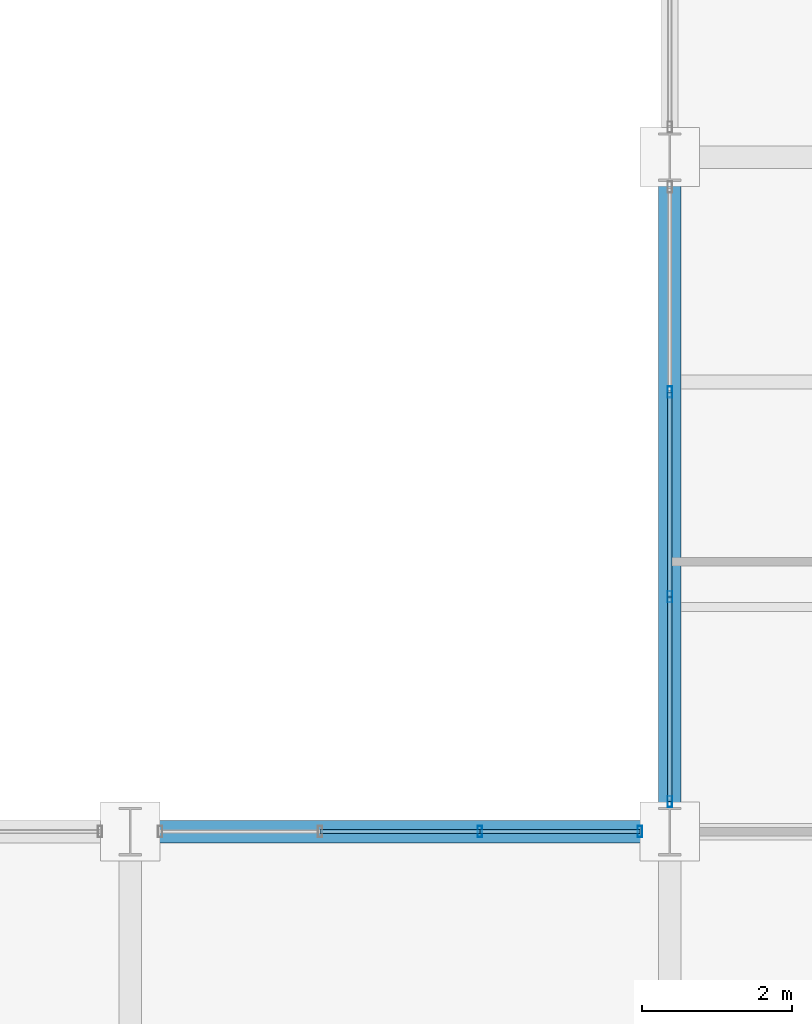
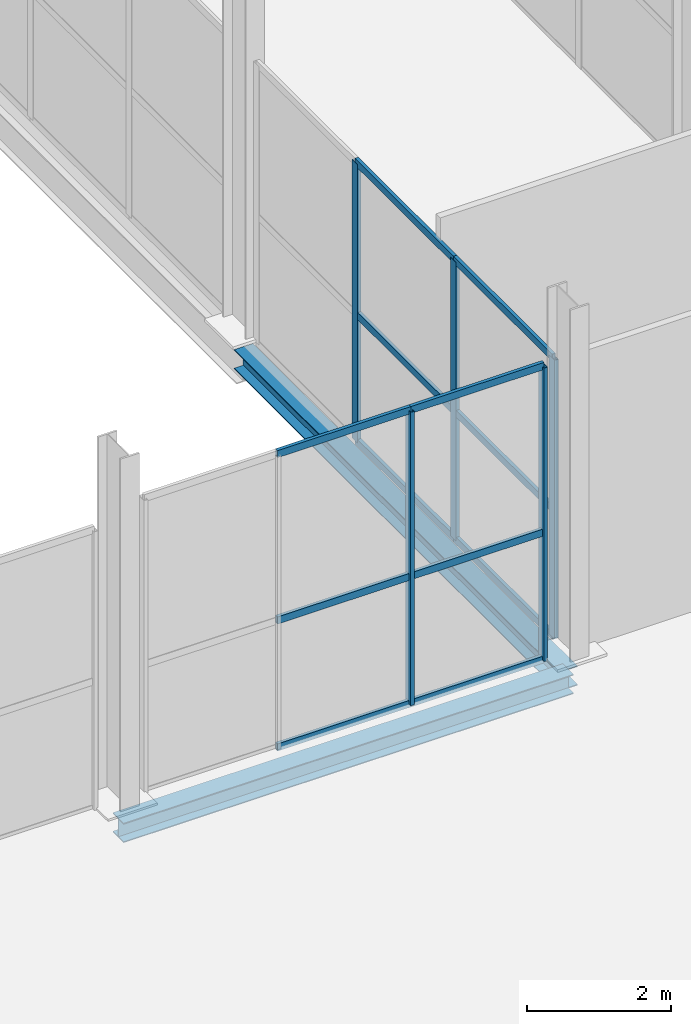
# One storey, part 89 of 144: 17 members, 2 beams, 2 elements without a shape of their own.
"""IFC4 building model written with IfcOpenShell, lengths in metres."""

from ifc_helpers import new_model, si_unit, direction, frame, origin, origin_2d, place, context, subcontext, project, spatial, hollow_rectangle, i_section, extrude, material, layer, layer_set, material_profile, profile_set, type_object, element, aggregate, save


model = new_model("IFC4")

# Units and contexts
model_context = context("Model", 3, precision=1e-05, world=origin(), true_north=direction((0.0, 1.0)))
body_context = subcontext(model_context, "Body", "Model", "MODEL_VIEW")
ifc_project = project(units=[si_unit("LENGTHUNIT", "METRE"), si_unit("AREAUNIT", "SQUARE_METRE"), si_unit("VOLUMEUNIT", "CUBIC_METRE"), si_unit("PLANEANGLEUNIT", "RADIAN"), si_unit("MASSUNIT", "GRAM", prefix="KILO")], contexts=[model_context])

# Site, building, storey
site_placement = place(None, origin())
site = spatial("IfcSite", under=ifc_project, at=site_placement, CompositionType="ELEMENT")
building_placement = place(site_placement, origin())
building = spatial("IfcBuilding", under=site, at=building_placement, Name="Sundgate Opera House", CompositionType="ELEMENT")
storey_placement = place(building_placement, origin())
storey = spatial("IfcBuildingStorey", under=building, at=storey_placement, Name="L00", CompositionType="ELEMENT", Elevation=0.0)

# Beams
ifc_material_1 = material(Name="Steel S355J2", Category="steel")
ifc_material_profile_1 = material_profile(ifc_material_1, i_section(OverallWidth=0.300048828125, OverallDepth=0.330078125, WebThickness=0.009521484375, FlangeThickness=0.0166015625, at=origin_2d()), Name="HEA 340")
ifc_profile_set_1 = profile_set([ifc_material_profile_1], Name="Steel S355J2")
beam_type = type_object("IfcBeamType", Name="BM-GR-HEA340", PredefinedType="BEAM", material=ifc_profile_set_1)
beam_1_placement = place(storey_placement, frame((138.60009765625, 42.0, -0.485107421875), z_axis=(0.0, 1.0, 0.0), x_axis=(-1.0, 0.0, 0.0)))
element("IfcBeam", 1, at=beam_1_placement, inside=storey, type_object=beam_type, Name="L00 Primary N-S Girder B0270", PredefinedType="BEAM", context=body_context, shape_type="SweptSolid", body=[
    extrude(i_section(OverallWidth=0.300048828125, OverallDepth=0.330078125, WebThickness=0.009521484375, FlangeThickness=0.0166015625, at=origin_2d()), origin(), (0.0, 0.0, 1.0), 9.0),
])
beam_2_placement = place(storey_placement, frame((131.39990234375, 42.0, -0.485107421875), z_axis=(1.0, 0.0, 0.0), x_axis=(0.0, 1.0, 0.0)))
element("IfcBeam", 2, at=beam_2_placement, inside=storey, type_object=beam_type, Name="L00 Primary E-W Girder B0423", PredefinedType="BEAM", context=body_context, shape_type="SweptSolid", body=[
    extrude(i_section(OverallWidth=0.300048828125, OverallDepth=0.330078125, WebThickness=0.009521484375, FlangeThickness=0.0166015625, at=origin_2d()), origin(), (0.0, 0.0, 1.0), 7.2001953125),
])

# Curtain wall, members
ifc_material_2 = material(Name="Anodized aluminium and low-iron glass", Category="aluminium")
ifc_layer = layer(ifc_material_2, 0.159912109375)
ifc_layer_set = layer_set([ifc_layer], Name="Anodized aluminium and low-iron glass")
curtain_wall_type = type_object("IfcCurtainWallType", Name="CW-STUDIO-DARK", PredefinedType="NOTDEFINED", material=ifc_layer_set)
curtain_wall_1_placement = place(storey_placement, origin())
curtain_wall_1 = element("IfcCurtainWall", 3, at=curtain_wall_1_placement, inside=storey, type_object=curtain_wall_type, Name="L00 Curtain Wall CW038", PredefinedType="NOTDEFINED")
ifc_material_3 = material(Name="Anodized aluminium EN AW-6063", Category="aluminium")
ifc_material_profile_2 = material_profile(ifc_material_3, hollow_rectangle(XDim=0.06005859375, YDim=0.14990234375, WallThickness=0.00390625, at=origin_2d()), Name="CWM 150x60x4")
ifc_profile_set_2 = profile_set([ifc_material_profile_2], Name="Anodized aluminium EN AW-6063")
member_type_1 = type_object("IfcMemberType", Name="CWM-ALU-150x60", PredefinedType="MULLION", material=ifc_profile_set_2)
member_1_placement = place(storey_placement, frame((136.066650390625, 42.0, 0.0), z_axis=(0.0, 0.0, 1.0), x_axis=(1.0, 0.0, 0.0)))
member_1 = element("IfcMember", 4, at=member_1_placement, type_object=member_type_1, Name="CW038 Mullion 3", PredefinedType="MULLION", context=body_context, shape_type="SweptSolid", body=[
    extrude(hollow_rectangle(XDim=0.06005859375, YDim=0.14990234375, WallThickness=0.00390625, at=origin_2d()), origin(), (0.0, 0.0, 1.0), 4.965087890625),
])
member_2_placement = place(storey_placement, frame((138.199951171875, 42.0, 0.0), z_axis=(0.0, 0.0, 1.0), x_axis=(1.0, 0.0, 0.0)))
member_2 = element("IfcMember", 5, at=member_2_placement, type_object=member_type_1, Name="CW038 Mullion 4", PredefinedType="MULLION", context=body_context, shape_type="SweptSolid", body=[
    extrude(hollow_rectangle(XDim=0.06005859375, YDim=0.14990234375, WallThickness=0.00390625, at=origin_2d()), origin(), (0.0, 0.0, 1.0), 4.965087890625),
])

curtain_wall_2_placement = place(storey_placement, origin())
curtain_wall_2 = element("IfcCurtainWall", 6, at=curtain_wall_2_placement, inside=storey, type_object=curtain_wall_type, Name="L00 Curtain Wall CW041", PredefinedType="NOTDEFINED")
member_3_placement = place(storey_placement, frame((138.60009765625, 47.86669921875, 0.0), z_axis=(0.0, 0.0, 1.0), x_axis=(1.0, 0.0, 0.0)))
member_3 = element("IfcMember", 7, at=member_3_placement, type_object=member_type_1, Name="CW041 Mullion 2", PredefinedType="MULLION", context=body_context, shape_type="SweptSolid", body=[
    extrude(hollow_rectangle(XDim=0.06005859375, YDim=0.14990234375, WallThickness=0.00390625, at=origin_2d()), origin(), (0.0, 0.0, 1.0), 4.715087890625),
])
member_4_placement = place(storey_placement, frame((138.60009765625, 45.13330078125, 0.0), z_axis=(0.0, 0.0, 1.0), x_axis=(1.0, 0.0, 0.0)))
member_4 = element("IfcMember", 8, at=member_4_placement, type_object=member_type_1, Name="CW041 Mullion 3", PredefinedType="MULLION", context=body_context, shape_type="SweptSolid", body=[
    extrude(hollow_rectangle(XDim=0.06005859375, YDim=0.14990234375, WallThickness=0.00390625, at=origin_2d()), origin(), (0.0, 0.0, 1.0), 4.715087890625),
])
member_5_placement = place(storey_placement, frame((138.60009765625, 42.39990234375, 0.0), z_axis=(0.0, 0.0, 1.0), x_axis=(1.0, 0.0, 0.0)))
member_5 = element("IfcMember", 9, at=member_5_placement, type_object=member_type_1, Name="CW041 Mullion 4", PredefinedType="MULLION", context=body_context, shape_type="SweptSolid", body=[
    extrude(hollow_rectangle(XDim=0.06005859375, YDim=0.14990234375, WallThickness=0.00390625, at=origin_2d()), origin(), (0.0, 0.0, 1.0), 4.715087890625),
])

# Member
ifc_material_4 = material(Name="Anodized aluminium EN AW-6063", Category="aluminium")
ifc_material_profile_3 = material_profile(ifc_material_4, hollow_rectangle(XDim=0.054931640625, YDim=0.1201171875, WallThickness=0.00390625, at=origin_2d()), Name="CWT 120x55x4")
ifc_profile_set_3 = profile_set([ifc_material_profile_3], Name="Anodized aluminium EN AW-6063")
member_type_2 = type_object("IfcMemberType", Name="CWT-ALU-120x55", PredefinedType="USERDEFINED", material=ifc_profile_set_3)
member_6_placement = place(storey_placement, frame((133.933349609375, 42.0, 0.0), z_axis=(1.0, 0.0, 0.0), x_axis=(0.0, 1.0, 0.0)))
member_6 = element("IfcMember", 10, at=member_6_placement, type_object=member_type_2, Name="CW038 Transom 4", ObjectType="TRANSOM", PredefinedType="USERDEFINED", context=body_context, shape_type="SweptSolid", body=[
    extrude(hollow_rectangle(XDim=0.054931640625, YDim=0.1201171875, WallThickness=0.00390625, at=origin_2d()), origin(), (0.0, 0.0, 1.0), 2.13330078125),
])

member_7_placement = place(storey_placement, frame((133.933349609375, 42.0, 2.14990234375), z_axis=(1.0, 0.0, 0.0), x_axis=(0.0, 1.0, 0.0)))
member_7 = element("IfcMember", 11, at=member_7_placement, type_object=member_type_2, Name="CW038 Transom 5", ObjectType="TRANSOM", PredefinedType="USERDEFINED", context=body_context, shape_type="SweptSolid", body=[
    extrude(hollow_rectangle(XDim=0.054931640625, YDim=0.1201171875, WallThickness=0.00390625, at=origin_2d()), origin(), (0.0, 0.0, 1.0), 2.13330078125),
])

member_8_placement = place(storey_placement, frame((133.933349609375, 42.0, 4.965087890625), z_axis=(1.0, 0.0, 0.0), x_axis=(0.0, 1.0, 0.0)))
member_8 = element("IfcMember", 12, at=member_8_placement, type_object=member_type_2, Name="CW038 Transom 6", ObjectType="TRANSOM", PredefinedType="USERDEFINED", context=body_context, shape_type="SweptSolid", body=[
    extrude(hollow_rectangle(XDim=0.054931640625, YDim=0.1201171875, WallThickness=0.00390625, at=origin_2d()), origin(), (0.0, 0.0, 1.0), 2.13330078125),
])

member_9_placement = place(storey_placement, frame((136.066650390625, 42.0, 0.0), z_axis=(1.0, 0.0, 0.0), x_axis=(0.0, 1.0, 0.0)))
member_9 = element("IfcMember", 13, at=member_9_placement, type_object=member_type_2, Name="CW038 Transom 7", ObjectType="TRANSOM", PredefinedType="USERDEFINED", context=body_context, shape_type="SweptSolid", body=[
    extrude(hollow_rectangle(XDim=0.054931640625, YDim=0.1201171875, WallThickness=0.00390625, at=origin_2d()), origin(), (0.0, 0.0, 1.0), 2.13330078125),
])

member_10_placement = place(storey_placement, frame((136.066650390625, 42.0, 2.14990234375), z_axis=(1.0, 0.0, 0.0), x_axis=(0.0, 1.0, 0.0)))
member_10 = element("IfcMember", 14, at=member_10_placement, type_object=member_type_2, Name="CW038 Transom 8", ObjectType="TRANSOM", PredefinedType="USERDEFINED", context=body_context, shape_type="SweptSolid", body=[
    extrude(hollow_rectangle(XDim=0.054931640625, YDim=0.1201171875, WallThickness=0.00390625, at=origin_2d()), origin(), (0.0, 0.0, 1.0), 2.13330078125),
])

member_11_placement = place(storey_placement, frame((136.066650390625, 42.0, 4.965087890625), z_axis=(1.0, 0.0, 0.0), x_axis=(0.0, 1.0, 0.0)))
member_11 = element("IfcMember", 15, at=member_11_placement, type_object=member_type_2, Name="CW038 Transom 9", ObjectType="TRANSOM", PredefinedType="USERDEFINED", context=body_context, shape_type="SweptSolid", body=[
    extrude(hollow_rectangle(XDim=0.054931640625, YDim=0.1201171875, WallThickness=0.00390625, at=origin_2d()), origin(), (0.0, 0.0, 1.0), 2.13330078125),
])

aggregate(curtain_wall_1, [member_1, member_2, member_6, member_7, member_8, member_9, member_10, member_11])

member_12_placement = place(storey_placement, frame((138.60009765625, 47.86669921875, 0.0), z_axis=(0.0, -1.0, 0.0), x_axis=(1.0, 0.0, 0.0)))
member_12 = element("IfcMember", 16, at=member_12_placement, type_object=member_type_2, Name="CW041 Transom 4", ObjectType="TRANSOM", PredefinedType="USERDEFINED", context=body_context, shape_type="SweptSolid", body=[
    extrude(hollow_rectangle(XDim=0.054931640625, YDim=0.1201171875, WallThickness=0.00390625, at=origin_2d()), origin(), (0.0, 0.0, 1.0), 2.7333984375),
])

member_13_placement = place(storey_placement, frame((138.60009765625, 47.86669921875, 2.14990234375), z_axis=(0.0, -1.0, 0.0), x_axis=(1.0, 0.0, 0.0)))
member_13 = element("IfcMember", 17, at=member_13_placement, type_object=member_type_2, Name="CW041 Transom 5", ObjectType="TRANSOM", PredefinedType="USERDEFINED", context=body_context, shape_type="SweptSolid", body=[
    extrude(hollow_rectangle(XDim=0.054931640625, YDim=0.1201171875, WallThickness=0.00390625, at=origin_2d()), origin(), (0.0, 0.0, 1.0), 2.7333984375),
])

member_14_placement = place(storey_placement, frame((138.60009765625, 47.86669921875, 4.715087890625), z_axis=(0.0, -1.0, 0.0), x_axis=(1.0, 0.0, 0.0)))
member_14 = element("IfcMember", 18, at=member_14_placement, type_object=member_type_2, Name="CW041 Transom 6", ObjectType="TRANSOM", PredefinedType="USERDEFINED", context=body_context, shape_type="SweptSolid", body=[
    extrude(hollow_rectangle(XDim=0.054931640625, YDim=0.1201171875, WallThickness=0.00390625, at=origin_2d()), origin(), (0.0, 0.0, 1.0), 2.7333984375),
])

member_15_placement = place(storey_placement, frame((138.60009765625, 45.13330078125, 0.0), z_axis=(0.0, -1.0, 0.0), x_axis=(1.0, 0.0, 0.0)))
member_15 = element("IfcMember", 19, at=member_15_placement, type_object=member_type_2, Name="CW041 Transom 7", ObjectType="TRANSOM", PredefinedType="USERDEFINED", context=body_context, shape_type="SweptSolid", body=[
    extrude(hollow_rectangle(XDim=0.054931640625, YDim=0.1201171875, WallThickness=0.00390625, at=origin_2d()), origin(), (0.0, 0.0, 1.0), 2.7333984375),
])

member_16_placement = place(storey_placement, frame((138.60009765625, 45.13330078125, 2.14990234375), z_axis=(0.0, -1.0, 0.0), x_axis=(1.0, 0.0, 0.0)))
member_16 = element("IfcMember", 20, at=member_16_placement, type_object=member_type_2, Name="CW041 Transom 8", ObjectType="TRANSOM", PredefinedType="USERDEFINED", context=body_context, shape_type="SweptSolid", body=[
    extrude(hollow_rectangle(XDim=0.054931640625, YDim=0.1201171875, WallThickness=0.00390625, at=origin_2d()), origin(), (0.0, 0.0, 1.0), 2.7333984375),
])

member_17_placement = place(storey_placement, frame((138.60009765625, 45.13330078125, 4.715087890625), z_axis=(0.0, -1.0, 0.0), x_axis=(1.0, 0.0, 0.0)))
member_17 = element("IfcMember", 21, at=member_17_placement, type_object=member_type_2, Name="CW041 Transom 9", ObjectType="TRANSOM", PredefinedType="USERDEFINED", context=body_context, shape_type="SweptSolid", body=[
    extrude(hollow_rectangle(XDim=0.054931640625, YDim=0.1201171875, WallThickness=0.00390625, at=origin_2d()), origin(), (0.0, 0.0, 1.0), 2.7333984375),
])

aggregate(curtain_wall_2, [member_3, member_4, member_5, member_12, member_13, member_14, member_15, member_16, member_17])

save(model, "model.ifc")
